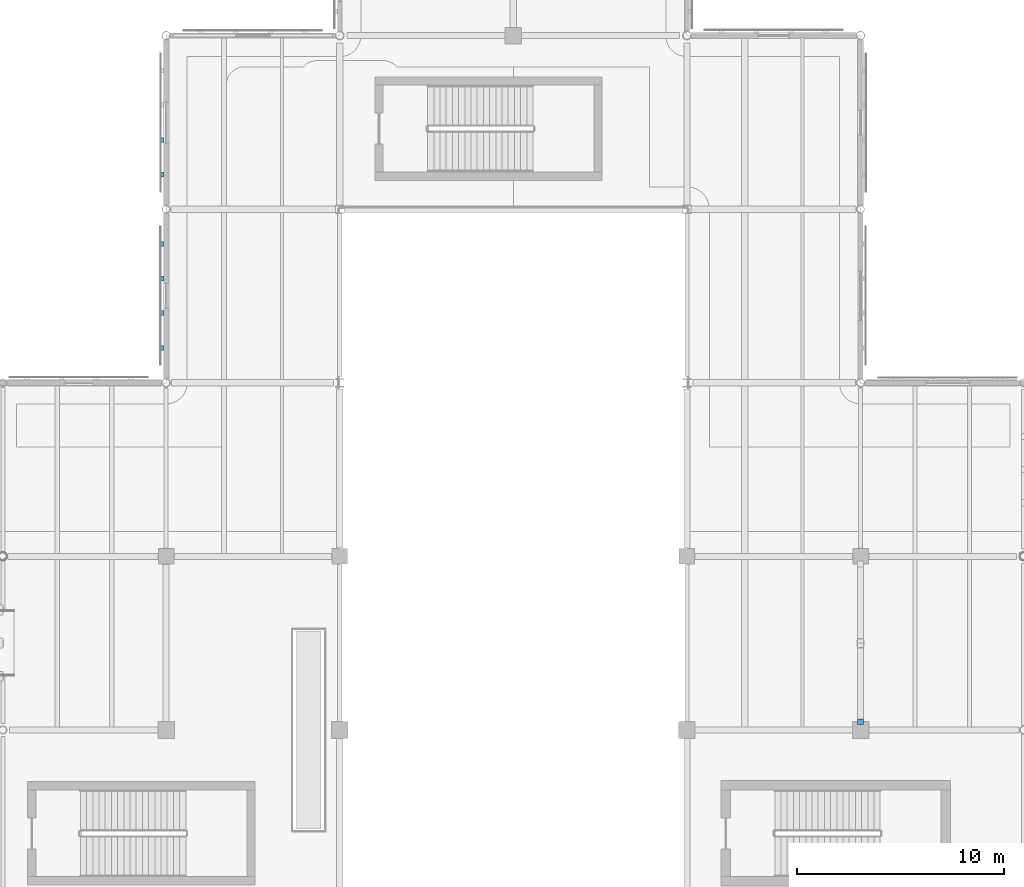
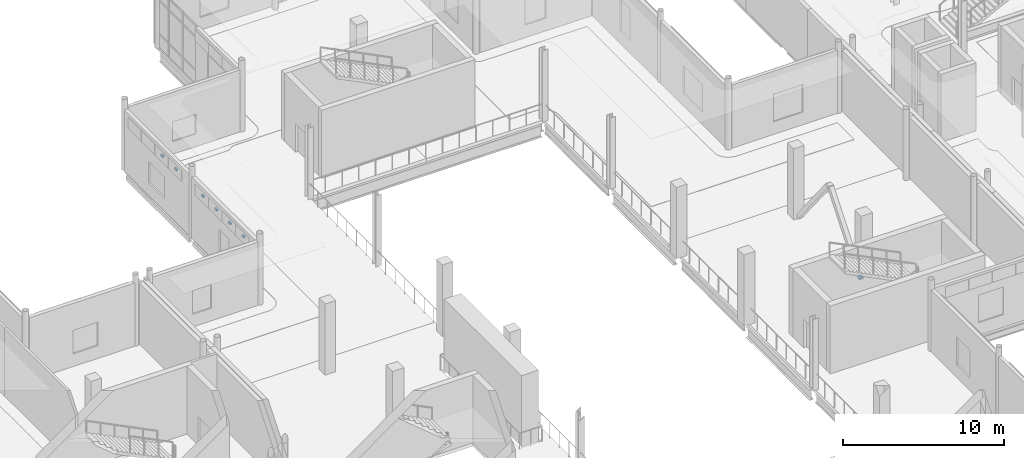
# One storey, part 79 of 110: 7 discrete accessories.
"""IFC4 building model written with IfcOpenShell, lengths in metres."""

from ifc_helpers import new_model, si_unit, direction, frame, origin, origin_2d, place, context, subcontext, project, spatial, rectangle, extrude, material, type_object, element, save


model = new_model("IFC4")

# Units and contexts
model_context = context("Model", 3, precision=1e-05, world=origin(), true_north=direction((0.0, 1.0)))
body_context = subcontext(model_context, "Body", "Model", "MODEL_VIEW")
ifc_project = project(units=[si_unit("LENGTHUNIT", "METRE"), si_unit("AREAUNIT", "SQUARE_METRE"), si_unit("VOLUMEUNIT", "CUBIC_METRE"), si_unit("PLANEANGLEUNIT", "RADIAN"), si_unit("MASSUNIT", "GRAM", prefix="KILO"), si_unit("THERMODYNAMICTEMPERATUREUNIT", "KELVIN")], contexts=[model_context])

# Site, building, storey
site_placement = place(None, origin())
site = spatial("IfcSite", under=ifc_project, at=site_placement, CompositionType="ELEMENT")
building_placement = place(site_placement, origin())
building = spatial("IfcBuilding", under=site, at=building_placement, Name="Lustrewick Department Store", CompositionType="ELEMENT")
storey_placement = place(building_placement, frame((0.0, 0.0, 6.0)))
storey = spatial("IfcBuildingStorey", under=building, at=storey_placement, Name="L02", CompositionType="ELEMENT", Elevation=6.0)

# Discrete accessories
ifc_material_1 = material(Name="Anodized filigree aluminium 6061-T6", Category="aluminium")
discrete_accessory_type_1 = type_object("IfcDiscreteAccessoryType", Name="BRK-FIL", PredefinedType="BRACKET", material=ifc_material_1)
for number, where, z_axis, x_axis, name in (
    (1, (67.010009765625, 95.752685546875, 4.05126953125), (0.0, 0.0, 1.0), (0.0, -1.0, 0.0), "L02 Filigree Stand-Off Bracket 0140"),
    (2, (67.010009765625, 94.07275390625, 4.05126953125), (0.0, 0.0, 1.0), (0.0, -1.0, 0.0), "L02 Filigree Stand-Off Bracket 0141"),
    (3, (67.0, 90.727294921875, 4.05126953125), (0.0, 0.0, 1.0), (0.0, -1.0, 0.0), "L02 Filigree Stand-Off Bracket 0142"),
    (4, (67.0, 89.047119140625, 4.05126953125), (0.0, 0.0, 1.0), (0.0, -1.0, 0.0), "L02 Filigree Stand-Off Bracket 0143"),
    (5, (67.0, 87.3671875, 4.05126953125), (0.0, 0.0, 1.0), (0.0, -1.0, 0.0), "L02 Filigree Stand-Off Bracket 0144"),
    (6, (67.0, 85.687255859375, 4.05126953125), (0.0, 0.0, 1.0), (0.0, -1.0, 0.0), "L02 Filigree Stand-Off Bracket 0145"),
):
    element("IfcDiscreteAccessory", number, at=place(storey_placement, frame(where, z_axis=z_axis, x_axis=x_axis)), inside=storey, type_object=discrete_accessory_type_1, Name=name, PredefinedType="BRACKET", context=body_context, shape_type="SweptSolid", body=[
        extrude(rectangle(XDim=0.239990234375, YDim=0.139892578125, at=origin_2d()), origin(), (0.0, 0.0, 1.0), 0.159912109375),
    ])
ifc_material_2 = material(Name="Structural steel Q355C", Category="steel")
discrete_accessory_type_2 = type_object("IfcDiscreteAccessoryType", Name="GUS-NODE", PredefinedType="BRACKET", material=ifc_material_2)
discrete_accessory_placement = place(storey_placement, frame((100.800048828125, 67.60009765625, 0.06005859375), z_axis=(0.0, 0.0, 1.0), x_axis=(1.0, 0.0, 0.0)))
element("IfcDiscreteAccessory", 7, at=discrete_accessory_placement, inside=storey, type_object=discrete_accessory_type_2, Name="L02 V2 Brace Base Gusset Plate", PredefinedType="BRACKET", context=body_context, shape_type="SweptSolid", body=[
    extrude(rectangle(XDim=0.280029296875, YDim=0.280029296875, at=origin_2d()), origin(), (0.0, 0.0, 1.0), 0.179931640625),
])

save(model, "model.ifc")
